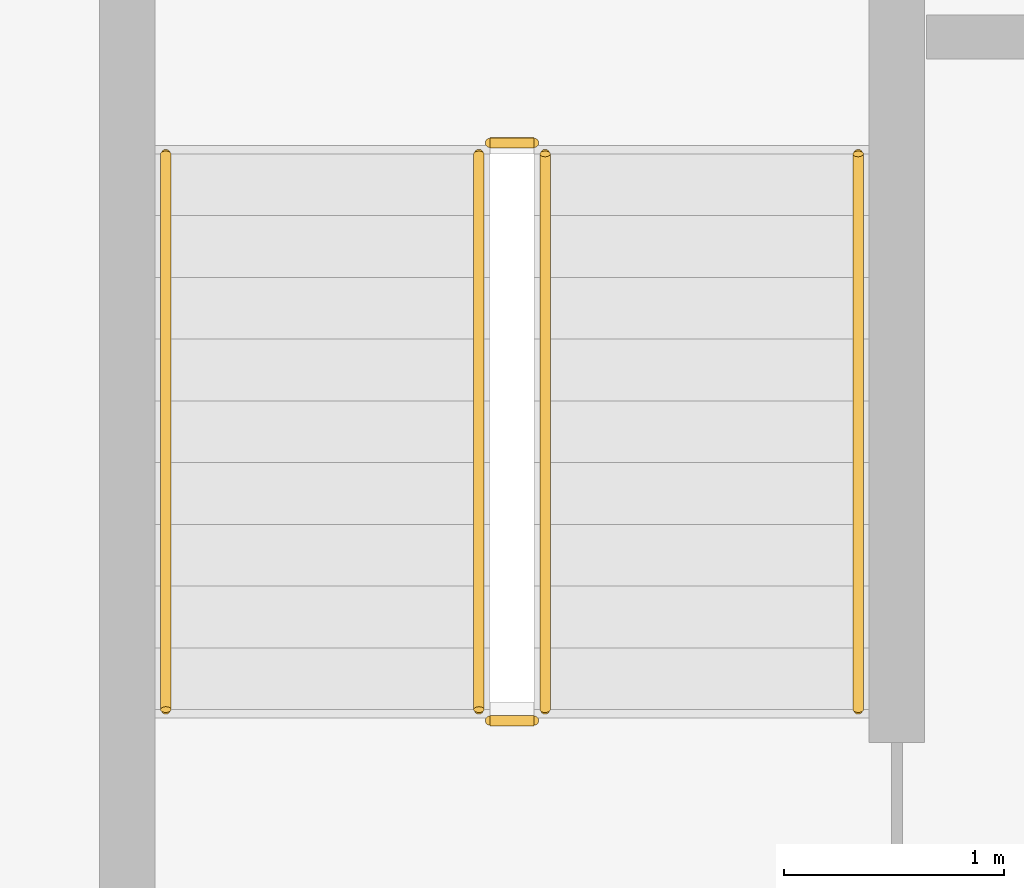
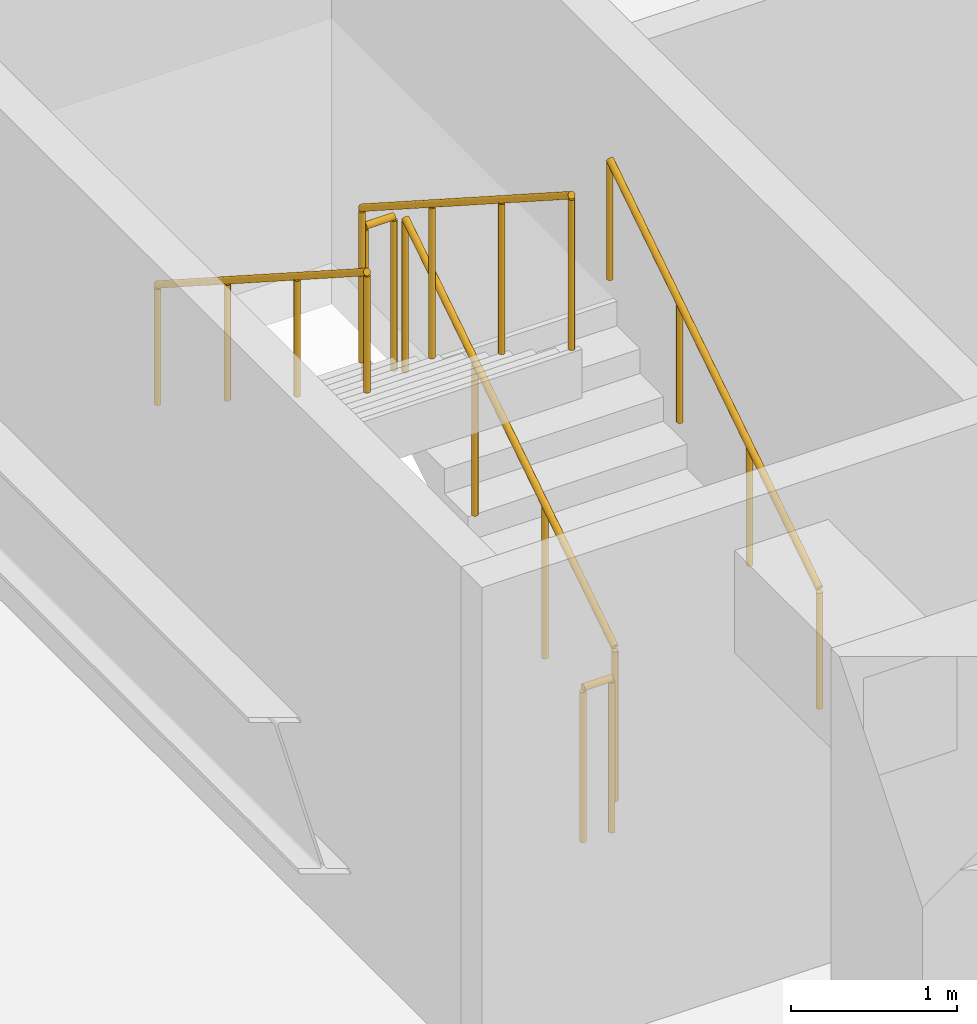
# One storey, part 19 of 23: 6 railings.
"""IFC4 building model written with IfcOpenShell, lengths in metres."""

import ifcopenshell
import ifcopenshell.guid

model = None  # the IFC model being written
_history = None  # IfcOwnerHistory: only IFC2X3 demands one
_inside = {}  # id of a spatial element -> (the spatial element, [elements in it])
_under = {}  # id of a project, library or spatial element -> (it, [spatial elements below it])
_declared = {}  # id of a project -> (the project, [libraries it declares])
_typed = {}  # id of a type object -> (the type object, [elements of that type])
_made_of = {}  # id of a material, layer set ... -> (it, [elements and type objects made of it])


def new_model(schema):
    """Start an empty IFC model of exactly this schema.

    Asked for "IFC4X3", IfcOpenShell would pick the latest addendum, in which some entities
    have other attributes; the version numbers below select the first issue.
    IFC2X3 requires an IfcOwnerHistory on every rooted entity: one is made here for all.
    """
    global model, _history
    if schema == "IFC4X3":
        model = ifcopenshell.file(schema_version=(4, 3, 0, 0))
    else:
        model = ifcopenshell.file(schema=schema)
    _inside.clear()
    _under.clear()
    _declared.clear()
    _typed.clear()
    _made_of.clear()
    _history = None
    if model.schema == "IFC2X3":
        org = make("IfcOrganization", Name="unknown")
        user = make(
            "IfcPersonAndOrganization",
            ThePerson=make("IfcPerson", FamilyName="unknown"),
            TheOrganization=org,
        )
        app = make(
            "IfcApplication",
            ApplicationDeveloper=org,
            Version="unknown",
            ApplicationFullName="unknown",
            ApplicationIdentifier="unknown",
        )
        _history = make(
            "IfcOwnerHistory",
            OwningUser=user,
            OwningApplication=app,
            ChangeAction="ADDED",
            CreationDate=0,
        )
    return model


def make(cls, **values):
    """One entity of the class cls with the attributes given. An attribute that is None is left unset."""
    return model.create_entity(
        cls, **{name: value for name, value in values.items() if value is not None}
    )


def rooted(cls, **values):
    """An entity with a GlobalId (a new one), such as an element, a storey or a relation."""
    return make(cls, GlobalId=ifcopenshell.guid.new(), OwnerHistory=_history, **values)


def si_unit(unit_type, name, prefix=None):
    """IfcSIUnit, for example si_unit("LENGTHUNIT", "METRE", prefix="MILLI")."""
    return make("IfcSIUnit", UnitType=unit_type, Prefix=prefix, Name=name)


def assignment(units):
    """IfcUnitAssignment: the units of a project."""
    return None if units is None else make("IfcUnitAssignment", Units=units)


def point(xyz):
    """IfcCartesianPoint."""
    return None if xyz is None else make("IfcCartesianPoint", Coordinates=xyz)


def direction(xyz):
    """IfcDirection."""
    return None if xyz is None else make("IfcDirection", DirectionRatios=xyz)


def frame(location, z_axis=None, x_axis=None):
    """IfcAxis2Placement3D, a coordinate frame: its origin and axes. An axis left out is left unset."""
    return make(
        "IfcAxis2Placement3D",
        Location=point(location),
        Axis=direction(z_axis),
        RefDirection=direction(x_axis),
    )


def frame_2d(location, x_axis=None):
    """IfcAxis2Placement2D, a coordinate frame in the plane: its origin and x axis."""
    return make(
        "IfcAxis2Placement2D", Location=point(location), RefDirection=direction(x_axis)
    )


def origin():
    """The frame at (0, 0, 0) with its axes left unset."""
    return frame((0.0, 0.0, 0.0))


def origin_2d():
    """The frame at (0, 0) in the plane with its x axis left unset."""
    return frame_2d((0.0, 0.0))


def place(relative_to, where):
    """IfcLocalPlacement: puts the frame where relative to a parent placement (None: the world)."""
    return make(
        "IfcLocalPlacement", PlacementRelTo=relative_to, RelativePlacement=where
    )


def context(
    kind, dimensions, precision=None, world=None, true_north=None, identifier=None
):
    """IfcGeometricRepresentationContext, for example the 3D "Model" context."""
    return make(
        "IfcGeometricRepresentationContext",
        ContextIdentifier=identifier,
        ContextType=kind,
        CoordinateSpaceDimension=dimensions,
        Precision=precision,
        WorldCoordinateSystem=world,
        TrueNorth=true_north,
    )


def subcontext(parent, identifier, kind, view, scale=None):
    """IfcGeometricRepresentationSubContext, for example "Body" below "Model"."""
    return make(
        "IfcGeometricRepresentationSubContext",
        ContextIdentifier=identifier,
        ContextType=kind,
        ParentContext=parent,
        TargetScale=scale,
        TargetView=view,
    )


def project(units=None, contexts=None):
    """IfcProject with its units and contexts."""
    return rooted(
        "IfcProject",
        Name="project",
        RepresentationContexts=contexts,
        UnitsInContext=assignment(units),
    )


def spatial(cls, under=None, at=None, **own):
    """A site, building, storey or space (cls), placed at a placement, below another one or the project."""
    s = rooted(cls, ObjectPlacement=at, **own)
    if under is not None:
        _under.setdefault(under.id(), (under, []))[1].append(s)
    return s


def profile(cls, at=None, kind="AREA", **sizes):
    """A parametric profile (cls). Its sizes go by their IFC names, for example OverallWidth=200.0."""
    return make(cls, ProfileType=kind, Position=at, **sizes)


def circle(**sizes):
    """IfcCircleProfileDef."""
    return profile("IfcCircleProfileDef", **sizes)


def extrude(swept, where, along, depth):
    """IfcExtrudedAreaSolid: the profile swept, set in the frame where, extruded along a direction by depth."""
    return make(
        "IfcExtrudedAreaSolid",
        SweptArea=swept,
        Position=where,
        ExtrudedDirection=direction(along),
        Depth=depth,
    )


def shape(context_of_items, identifier, shape_type, items):
    """IfcShapeRepresentation: the items that make up one representation, for example the "Body"."""
    return make(
        "IfcShapeRepresentation",
        ContextOfItems=context_of_items,
        RepresentationIdentifier=identifier,
        RepresentationType=shape_type,
        Items=items,
    )


def material(Name=None, Category=None):
    """IfcMaterial."""
    return make("IfcMaterial", Name=Name, Category=Category)


def made_of(thing, what):
    """Note that an element or type object is made of a material, layer set ...; save() writes the relation."""
    if what is not None:
        _made_of.setdefault(what.id(), (what, []))[1].append(thing)
    return thing


def type_object(cls, material=None, **own):
    """A type object (cls), such as IfcWallType, which elements share."""
    return made_of(rooted(cls, **own), material)


def element(
    cls,
    number,
    at=None,
    inside=None,
    cuts=None,
    type_object=None,
    material=None,
    context=None,
    identifier="Body",
    shape_type=None,
    held_by="IfcProductDefinitionShape",
    body=None,
    shapes=None,
    **own,
):
    """One element of the class cls, such as IfcWall. Its Tag is "e" and its number.

    at: its placement. inside: the storey or other place that contains it. cuts: it is an
    opening in that element (IfcRelVoidsElement). A single representation is given by context,
    identifier, shape_type and body (its items); several are given by shapes. held_by: the class
    of the entity that holds the representations. save() writes the other relations.
    """
    e = rooted(cls, Tag="e%d" % number, ObjectPlacement=at, **own)
    if body is not None:
        shapes = [shape(context, identifier, shape_type, body)]
    if shapes is not None:
        e.Representation = make(held_by, Representations=shapes)
    if inside is not None:
        _inside.setdefault(inside.id(), (inside, []))[1].append(e)
    if cuts is not None:
        rooted(
            "IfcRelVoidsElement", RelatingBuildingElement=cuts, RelatedOpeningElement=e
        )
    if type_object is not None:
        _typed.setdefault(type_object.id(), (type_object, []))[1].append(e)
    return made_of(e, material)


def aggregate(whole, parts):
    """IfcRelAggregates: a whole, such as a stair, and the parts it consists of."""
    return rooted("IfcRelAggregates", RelatingObject=whole, RelatedObjects=parts)


def save(model, path):
    """Write the relations noted so far, then the file.

    IfcRelAggregates (storeys below a building ...), IfcRelContainedInSpatialStructure (elements
    in a storey), IfcRelDefinesByType, IfcRelAssociatesMaterial and IfcRelDeclares: one each for
    every whole, place, type object, material and project.
    """
    for whole, parts in _under.values():
        aggregate(whole, parts)
    for where, things in _inside.values():
        rooted(
            "IfcRelContainedInSpatialStructure",
            RelatedElements=things,
            RelatingStructure=where,
        )
    for kind, things in _typed.values():
        rooted("IfcRelDefinesByType", RelatedObjects=things, RelatingType=kind)
    for what, things in _made_of.values():
        rooted("IfcRelAssociatesMaterial", RelatedObjects=things, RelatingMaterial=what)
    for by, libraries in _declared.values():
        rooted("IfcRelDeclares", RelatingContext=by, RelatedDefinitions=libraries)
    model.write(path)


model = new_model("IFC4")

# Units and contexts
model_context = context("Model", 3, precision=1e-05, world=origin(), true_north=direction((0.0, 1.0)))
body_context = subcontext(model_context, "Body", "Model", "MODEL_VIEW")
ifc_project = project(units=[si_unit("LENGTHUNIT", "METRE"), si_unit("AREAUNIT", "SQUARE_METRE"), si_unit("VOLUMEUNIT", "CUBIC_METRE"), si_unit("PLANEANGLEUNIT", "RADIAN"), si_unit("MASSUNIT", "GRAM", prefix="KILO")], contexts=[model_context])

# Site, building, storey
site_placement = place(None, origin())
site = spatial("IfcSite", under=ifc_project, at=site_placement, CompositionType="ELEMENT")
building_placement = place(site_placement, origin())
building = spatial("IfcBuilding", under=site, at=building_placement, Name="Korimba Cascade Residences", CompositionType="ELEMENT")
storey_placement = place(building_placement, frame((0.0, 0.0, -3.60009765625)))
storey = spatial("IfcBuildingStorey", under=building, at=storey_placement, Name="B01", CompositionType="ELEMENT", Elevation=-3.60009765625)

# Railings
ifc_material_1 = material(Name="Painted Steel Stairwell Guardrail", Category="steel")
railing_type_1 = type_object("IfcRailingType", Name="RLG-ST-GD1150", PredefinedType="GUARDRAIL", material=ifc_material_1)
railing_1_placement = place(storey_placement, frame((59.77001953125, 83.64990234375, 0.18017578125)))
element("IfcRailing", 1, at=railing_1_placement, inside=storey, type_object=railing_type_1, Name="B01 ST-P5 stair guard 1", PredefinedType="GUARDRAIL", context=body_context, shape_type="SweptSolid", body=[
    extrude(circle(Radius=0.02392578125, at=origin_2d()), frame((0.0, 0.0, 1.1259765625), z_axis=(0.0, 0.841199657755, 0.540724639528), x_axis=(-1.0, 0.0, 0.0)), (0.0, 0.0, 1.0), 2.995849609375),
    extrude(circle(Radius=0.02099609375, at=origin_2d()), origin(), (0.0, 0.0, 1.0), 1.101806640625),
    extrude(circle(Radius=0.02099609375, at=origin_2d()), frame((0.0, 0.840087890625, 0.5400390625)), (0.0, 0.0, 1.0), 1.101806640625),
    extrude(circle(Radius=0.02099609375, at=origin_2d()), frame((0.0, 1.679931640625, 1.079833984375)), (0.0, 0.0, 1.0), 1.101806640625),
    extrude(circle(Radius=0.02099609375, at=origin_2d()), frame((0.0, 2.52001953125, 1.619873046875)), (0.0, 0.0, 1.0), 1.101806640625),
])
railing_2_placement = place(storey_placement, frame((59.719970703125, 86.219970703125, 1.800048828125)))
element("IfcRailing", 2, at=railing_2_placement, inside=storey, type_object=railing_type_1, Name="B01 ST-P5 stair guard 2", PredefinedType="GUARDRAIL", context=body_context, shape_type="SweptSolid", body=[
    extrude(circle(Radius=0.02392578125, at=origin_2d()), frame((0.0, 0.0, 1.1259765625), z_axis=(-1.0, 0.0, 0.0), x_axis=(0.0, -1.0, 0.0)), (0.0, 0.0, 1.0), 0.199951171875),
    extrude(circle(Radius=0.02099609375, at=origin_2d()), origin(), (0.0, 0.0, 1.0), 1.101806640625),
    extrude(circle(Radius=0.02099609375, at=origin_2d()), frame((-0.199951171875, 0.0, 0.0)), (0.0, 0.0, 1.0), 1.101806640625),
])
railing_3_placement = place(storey_placement, frame((59.469970703125, 86.169921875, 1.97998046875)))
element("IfcRailing", 3, at=railing_3_placement, inside=storey, type_object=railing_type_1, Name="B01 ST-P5 stair guard 3", PredefinedType="GUARDRAIL", context=body_context, shape_type="SweptSolid", body=[
    extrude(circle(Radius=0.02392578125, at=origin_2d()), frame((0.0, 0.0, 1.1259765625), z_axis=(0.0, -0.841162588446, 0.540782303519), x_axis=(1.0, 0.0, 0.0)), (0.0, 0.0, 1.0), 2.995849609375),
    extrude(circle(Radius=0.02099609375, at=origin_2d()), origin(), (0.0, 0.0, 1.0), 1.101806640625),
    extrude(circle(Radius=0.02099609375, at=origin_2d()), frame((0.0, -0.840087890625, 0.5400390625)), (0.0, 0.0, 1.0), 1.101806640625),
    extrude(circle(Radius=0.02099609375, at=origin_2d()), frame((0.0, -1.679931640625, 1.080078125)), (0.0, 0.0, 1.0), 1.101806640625),
    extrude(circle(Radius=0.02099609375, at=origin_2d()), frame((0.0, -2.52001953125, 1.6201171875)), (0.0, 0.0, 1.0), 1.101806640625),
])
railing_4_placement = place(storey_placement, frame((59.719970703125, 83.60009765625, 0.0)))
element("IfcRailing", 4, at=railing_4_placement, inside=storey, type_object=railing_type_1, Name="B01 ST-P5 stair guard 4", PredefinedType="GUARDRAIL", context=body_context, shape_type="SweptSolid", body=[
    extrude(circle(Radius=0.02392578125, at=origin_2d()), frame((0.0, 0.0, 1.1259765625), z_axis=(-1.0, 0.0, 0.0), x_axis=(0.0, -1.0, 0.0)), (0.0, 0.0, 1.0), 0.199951171875),
    extrude(circle(Radius=0.02099609375, at=origin_2d()), origin(), (0.0, 0.0, 1.0), 1.101806640625),
    extrude(circle(Radius=0.02099609375, at=origin_2d()), frame((-0.199951171875, 0.0, 0.0)), (0.0, 0.0, 1.0), 1.101806640625),
])
ifc_material_2 = material(Name="Brushed Stainless Steel Handrail", Category="steel")
railing_type_2 = type_object("IfcRailingType", Name="RLG-ST-HR900", PredefinedType="HANDRAIL", material=ifc_material_2)
railing_5_placement = place(storey_placement, frame((61.18994140625, 83.64990234375, 0.364013671875)))
element("IfcRailing", 5, at=railing_5_placement, inside=storey, type_object=railing_type_2, Name="B01 ST-P5 stair handrail 1", PredefinedType="HANDRAIL", context=body_context, shape_type="SweptSolid", body=[
    extrude(circle(Radius=0.02392578125, at=origin_2d()), frame((0.0, 0.0, 0.8759765625), z_axis=(0.0, 0.841199657755, 0.540724639528), x_axis=(-1.0, 0.0, 0.0)), (0.0, 0.0, 1.0), 2.995849609375),
    extrude(circle(Radius=0.02099609375, at=origin_2d()), origin(), (0.0, 0.0, 1.0), 0.851806640625),
    extrude(circle(Radius=0.02099609375, at=origin_2d()), frame((0.0, 0.840087890625, 0.5400390625)), (0.0, 0.0, 1.0), 0.851806640625),
    extrude(circle(Radius=0.02099609375, at=origin_2d()), frame((0.0, 1.679931640625, 1.079833984375)), (0.0, 0.0, 1.0), 0.851806640625),
    extrude(circle(Radius=0.02099609375, at=origin_2d()), frame((0.0, 2.52001953125, 1.619873046875)), (0.0, 0.0, 1.0), 0.851806640625),
])
railing_6_placement = place(storey_placement, frame((58.050048828125, 86.169921875, 2.163818359375)))
element("IfcRailing", 6, at=railing_6_placement, inside=storey, type_object=railing_type_2, Name="B01 ST-P5 stair handrail 2", PredefinedType="HANDRAIL", context=body_context, shape_type="SweptSolid", body=[
    extrude(circle(Radius=0.02392578125, at=origin_2d()), frame((0.0, 0.0, 0.8759765625), z_axis=(0.0, -0.841162588446, 0.540782303519), x_axis=(1.0, 0.0, 0.0)), (0.0, 0.0, 1.0), 2.995849609375),
    extrude(circle(Radius=0.02099609375, at=origin_2d()), origin(), (0.0, 0.0, 1.0), 0.851806640625),
    extrude(circle(Radius=0.02099609375, at=origin_2d()), frame((0.0, -0.840087890625, 0.5400390625)), (0.0, 0.0, 1.0), 0.851806640625),
    extrude(circle(Radius=0.02099609375, at=origin_2d()), frame((0.0, -1.679931640625, 1.080078125)), (0.0, 0.0, 1.0), 0.851806640625),
    extrude(circle(Radius=0.02099609375, at=origin_2d()), frame((0.0, -2.52001953125, 1.6201171875)), (0.0, 0.0, 1.0), 0.851806640625),
])

save(model, "model.ifc")
